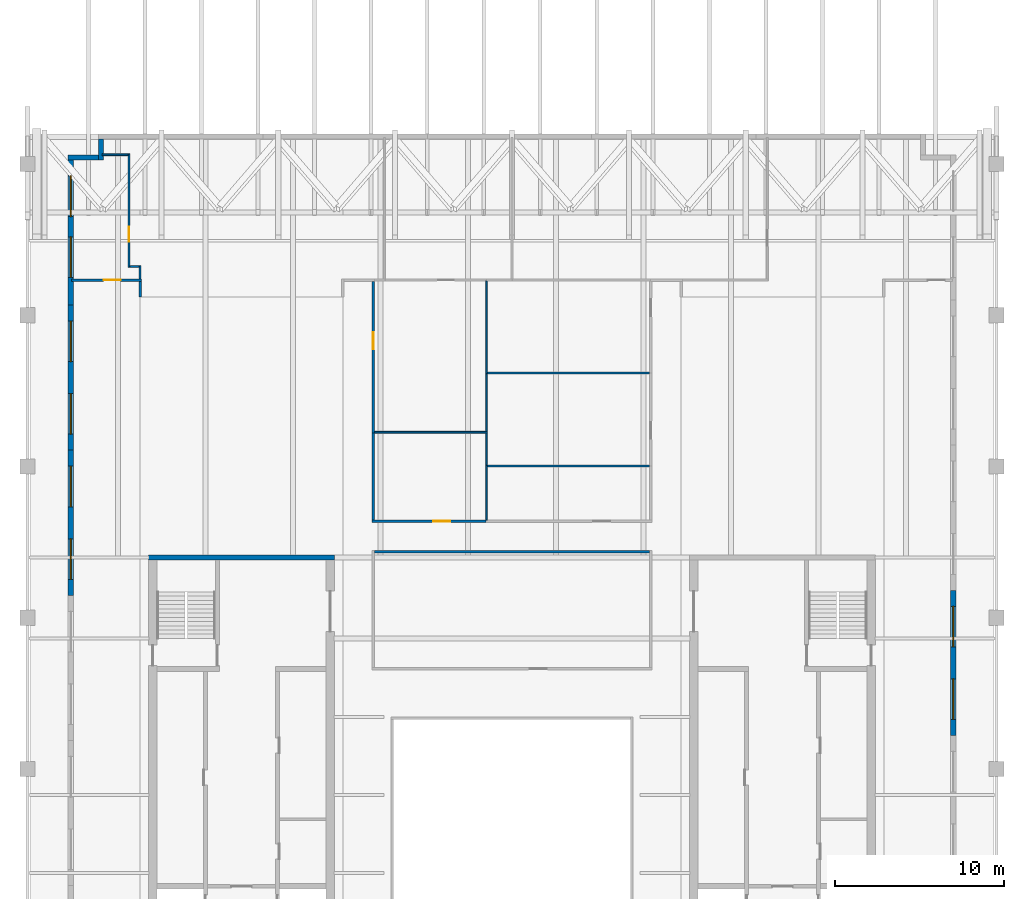
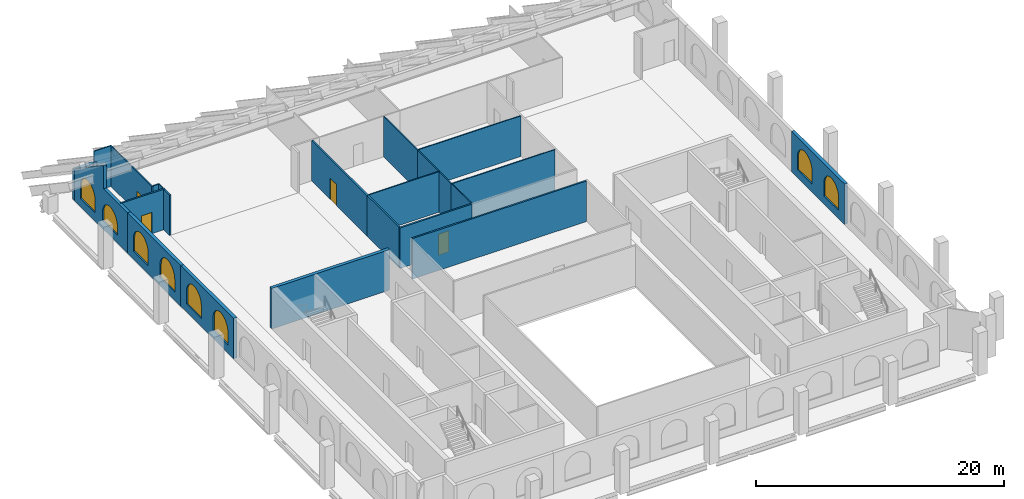
# One storey, part 6 of 9: 24 walls, 8 windows, 4 doors, 12 openings.
"""IFC4 building model written with IfcOpenShell, lengths in metres."""

import ifcopenshell
import ifcopenshell.guid

model = None  # the IFC model being written
_history = None  # IfcOwnerHistory: only IFC2X3 demands one
_inside = {}  # id of a spatial element -> (the spatial element, [elements in it])
_under = {}  # id of a project, library or spatial element -> (it, [spatial elements below it])
_declared = {}  # id of a project -> (the project, [libraries it declares])
_typed = {}  # id of a type object -> (the type object, [elements of that type])
_made_of = {}  # id of a material, layer set ... -> (it, [elements and type objects made of it])


def new_model(schema):
    """Start an empty IFC model of exactly this schema.

    Asked for "IFC4X3", IfcOpenShell would pick the latest addendum, in which some entities
    have other attributes; the version numbers below select the first issue.
    IFC2X3 requires an IfcOwnerHistory on every rooted entity: one is made here for all.
    """
    global model, _history
    if schema == "IFC4X3":
        model = ifcopenshell.file(schema_version=(4, 3, 0, 0))
    else:
        model = ifcopenshell.file(schema=schema)
    _inside.clear()
    _under.clear()
    _declared.clear()
    _typed.clear()
    _made_of.clear()
    _history = None
    if model.schema == "IFC2X3":
        org = make("IfcOrganization", Name="unknown")
        user = make(
            "IfcPersonAndOrganization",
            ThePerson=make("IfcPerson", FamilyName="unknown"),
            TheOrganization=org,
        )
        app = make(
            "IfcApplication",
            ApplicationDeveloper=org,
            Version="unknown",
            ApplicationFullName="unknown",
            ApplicationIdentifier="unknown",
        )
        _history = make(
            "IfcOwnerHistory",
            OwningUser=user,
            OwningApplication=app,
            ChangeAction="ADDED",
            CreationDate=0,
        )
    return model


def make(cls, **values):
    """One entity of the class cls with the attributes given. An attribute that is None is left unset."""
    return model.create_entity(
        cls, **{name: value for name, value in values.items() if value is not None}
    )


def rooted(cls, **values):
    """An entity with a GlobalId (a new one), such as an element, a storey or a relation."""
    return make(cls, GlobalId=ifcopenshell.guid.new(), OwnerHistory=_history, **values)


def si_unit(unit_type, name, prefix=None):
    """IfcSIUnit, for example si_unit("LENGTHUNIT", "METRE", prefix="MILLI")."""
    return make("IfcSIUnit", UnitType=unit_type, Prefix=prefix, Name=name)


def assignment(units):
    """IfcUnitAssignment: the units of a project."""
    return None if units is None else make("IfcUnitAssignment", Units=units)


def point(xyz):
    """IfcCartesianPoint."""
    return None if xyz is None else make("IfcCartesianPoint", Coordinates=xyz)


def direction(xyz):
    """IfcDirection."""
    return None if xyz is None else make("IfcDirection", DirectionRatios=xyz)


def frame(location, z_axis=None, x_axis=None):
    """IfcAxis2Placement3D, a coordinate frame: its origin and axes. An axis left out is left unset."""
    return make(
        "IfcAxis2Placement3D",
        Location=point(location),
        Axis=direction(z_axis),
        RefDirection=direction(x_axis),
    )


def frame_2d(location, x_axis=None):
    """IfcAxis2Placement2D, a coordinate frame in the plane: its origin and x axis."""
    return make(
        "IfcAxis2Placement2D", Location=point(location), RefDirection=direction(x_axis)
    )


def origin():
    """The frame at (0, 0, 0) with its axes left unset."""
    return frame((0.0, 0.0, 0.0))


def place(relative_to, where):
    """IfcLocalPlacement: puts the frame where relative to a parent placement (None: the world)."""
    return make(
        "IfcLocalPlacement", PlacementRelTo=relative_to, RelativePlacement=where
    )


def context(
    kind, dimensions, precision=None, world=None, true_north=None, identifier=None
):
    """IfcGeometricRepresentationContext, for example the 3D "Model" context."""
    return make(
        "IfcGeometricRepresentationContext",
        ContextIdentifier=identifier,
        ContextType=kind,
        CoordinateSpaceDimension=dimensions,
        Precision=precision,
        WorldCoordinateSystem=world,
        TrueNorth=true_north,
    )


def subcontext(parent, identifier, kind, view, scale=None):
    """IfcGeometricRepresentationSubContext, for example "Body" below "Model"."""
    return make(
        "IfcGeometricRepresentationSubContext",
        ContextIdentifier=identifier,
        ContextType=kind,
        ParentContext=parent,
        TargetScale=scale,
        TargetView=view,
    )


def project(units=None, contexts=None):
    """IfcProject with its units and contexts."""
    return rooted(
        "IfcProject",
        Name="project",
        RepresentationContexts=contexts,
        UnitsInContext=assignment(units),
    )


def spatial(cls, under=None, at=None, **own):
    """A site, building, storey or space (cls), placed at a placement, below another one or the project."""
    s = rooted(cls, ObjectPlacement=at, **own)
    if under is not None:
        _under.setdefault(under.id(), (under, []))[1].append(s)
    return s


def polyline(points):
    """IfcPolyline through the points."""
    return make("IfcPolyline", Points=[point(p) for p in points])


def profile(cls, at=None, kind="AREA", **sizes):
    """A parametric profile (cls). Its sizes go by their IFC names, for example OverallWidth=200.0."""
    return make(cls, ProfileType=kind, Position=at, **sizes)


def rectangle(**sizes):
    """IfcRectangleProfileDef."""
    return profile("IfcRectangleProfileDef", **sizes)


def outline(outer, holes=None, kind="AREA"):
    """IfcArbitraryClosedProfileDef: a profile drawn as a closed curve; with holes, ...WithVoids."""
    if holes is None:
        return make("IfcArbitraryClosedProfileDef", ProfileType=kind, OuterCurve=outer)
    return make(
        "IfcArbitraryProfileDefWithVoids",
        ProfileType=kind,
        OuterCurve=outer,
        InnerCurves=holes,
    )


def extrude(swept, where, along, depth):
    """IfcExtrudedAreaSolid: the profile swept, set in the frame where, extruded along a direction by depth."""
    return make(
        "IfcExtrudedAreaSolid",
        SweptArea=swept,
        Position=where,
        ExtrudedDirection=direction(along),
        Depth=depth,
    )


def shape(context_of_items, identifier, shape_type, items):
    """IfcShapeRepresentation: the items that make up one representation, for example the "Body"."""
    return make(
        "IfcShapeRepresentation",
        ContextOfItems=context_of_items,
        RepresentationIdentifier=identifier,
        RepresentationType=shape_type,
        Items=items,
    )


def material(Name=None, Category=None):
    """IfcMaterial."""
    return make("IfcMaterial", Name=Name, Category=Category)


def layer(
    of_material, thickness, ventilated=None, Name=None, Category=None, Priority=None
):
    """IfcMaterialLayer: one layer of a wall or slab, of a material (None: an air gap)."""
    return make(
        "IfcMaterialLayer",
        Material=of_material,
        LayerThickness=thickness,
        IsVentilated=ventilated,
        Name=Name,
        Category=Category,
        Priority=Priority,
    )


def layer_set(layers, Name=None):
    """IfcMaterialLayerSet."""
    return make("IfcMaterialLayerSet", MaterialLayers=layers, LayerSetName=Name)


def made_of(thing, what):
    """Note that an element or type object is made of a material, layer set ...; save() writes the relation."""
    if what is not None:
        _made_of.setdefault(what.id(), (what, []))[1].append(thing)
    return thing


def type_object(cls, material=None, **own):
    """A type object (cls), such as IfcWallType, which elements share."""
    return made_of(rooted(cls, **own), material)


def element(
    cls,
    number,
    at=None,
    inside=None,
    cuts=None,
    type_object=None,
    material=None,
    context=None,
    identifier="Body",
    shape_type=None,
    held_by="IfcProductDefinitionShape",
    body=None,
    shapes=None,
    **own,
):
    """One element of the class cls, such as IfcWall. Its Tag is "e" and its number.

    at: its placement. inside: the storey or other place that contains it. cuts: it is an
    opening in that element (IfcRelVoidsElement). A single representation is given by context,
    identifier, shape_type and body (its items); several are given by shapes. held_by: the class
    of the entity that holds the representations. save() writes the other relations.
    """
    e = rooted(cls, Tag="e%d" % number, ObjectPlacement=at, **own)
    if body is not None:
        shapes = [shape(context, identifier, shape_type, body)]
    if shapes is not None:
        e.Representation = make(held_by, Representations=shapes)
    if inside is not None:
        _inside.setdefault(inside.id(), (inside, []))[1].append(e)
    if cuts is not None:
        rooted(
            "IfcRelVoidsElement", RelatingBuildingElement=cuts, RelatedOpeningElement=e
        )
    if type_object is not None:
        _typed.setdefault(type_object.id(), (type_object, []))[1].append(e)
    return made_of(e, material)


def fill(opening, filler):
    """IfcRelFillsElement: the door or window that sits in an opening."""
    return rooted(
        "IfcRelFillsElement",
        RelatingOpeningElement=opening,
        RelatedBuildingElement=filler,
    )


def aggregate(whole, parts):
    """IfcRelAggregates: a whole, such as a stair, and the parts it consists of."""
    return rooted("IfcRelAggregates", RelatingObject=whole, RelatedObjects=parts)


def save(model, path):
    """Write the relations noted so far, then the file.

    IfcRelAggregates (storeys below a building ...), IfcRelContainedInSpatialStructure (elements
    in a storey), IfcRelDefinesByType, IfcRelAssociatesMaterial and IfcRelDeclares: one each for
    every whole, place, type object, material and project.
    """
    for whole, parts in _under.values():
        aggregate(whole, parts)
    for where, things in _inside.values():
        rooted(
            "IfcRelContainedInSpatialStructure",
            RelatedElements=things,
            RelatingStructure=where,
        )
    for kind, things in _typed.values():
        rooted("IfcRelDefinesByType", RelatedObjects=things, RelatingType=kind)
    for what, things in _made_of.values():
        rooted("IfcRelAssociatesMaterial", RelatedObjects=things, RelatingMaterial=what)
    for by, libraries in _declared.values():
        rooted("IfcRelDeclares", RelatingContext=by, RelatedDefinitions=libraries)
    model.write(path)


model = new_model("IFC4")

# Units and contexts
model_context = context("Model", 3, precision=1e-05, world=origin(), true_north=direction((0.0, 1.0)))
body_context = subcontext(model_context, "Body", "Model", "MODEL_VIEW")
ifc_project = project(units=[si_unit("LENGTHUNIT", "METRE"), si_unit("AREAUNIT", "SQUARE_METRE"), si_unit("VOLUMEUNIT", "CUBIC_METRE"), si_unit("PLANEANGLEUNIT", "RADIAN"), si_unit("MASSUNIT", "GRAM", prefix="KILO")], contexts=[model_context])

# Site, building, storey
site_placement = place(None, origin())
site = spatial("IfcSite", under=ifc_project, at=site_placement, CompositionType="ELEMENT")
building_placement = place(site_placement, origin())
building = spatial("IfcBuilding", under=site, at=building_placement, Name="Ogive Exchange Tower", CompositionType="ELEMENT")
storey_placement = place(building_placement, frame((0.0, 0.0, 373.199951171875)))
storey = spatial("IfcBuildingStorey", under=building, at=storey_placement, Name="C02", CompositionType="ELEMENT", Elevation=373.199951171875)

# Wall, opening, door
ifc_material_1 = material(Name="Fire partition EI 60 150")
ifc_layer_1 = layer(ifc_material_1, 0.14990234375)
ifc_layer_set_1 = layer_set([ifc_layer_1], Name="Fire partition EI 60 150")
wall_type_1 = type_object("IfcWallType", Name="Fire partition EI 60 150", PredefinedType="PARTITIONING", material=ifc_layer_set_1)
wall_1_placement = place(storey_placement, frame((-26.050048828125, 42.0, 0.0), z_axis=(0.0, 0.0, 1.0), x_axis=(1.0, 0.0, 0.0)))
wall_1 = element("IfcWall", 1, at=wall_1_placement, inside=storey, type_object=wall_type_1, Name="C02-PWL-001", PredefinedType="PARTITIONING", context=body_context, shape_type="SweptSolid", body=[
    extrude(rectangle(XDim=4.125, YDim=0.14990234375, at=frame_2d((2.0625, 0.0))), origin(), (0.0, 0.0, 1.0), 4.0),
])
opening_1_placement = place(wall_1_placement, frame((1.89990234375, 0.0, 0.0)))
opening_1 = element("IfcOpeningElement", 2, at=opening_1_placement, cuts=wall_1, Name="Opening C02-I10", PredefinedType="OPENING", context=body_context, shape_type="SweptSolid", body=[
    extrude(rectangle(XDim=1.0, YDim=2.10009765625, at=frame_2d((0.5, 1.050048828125))), frame((0.0, 0.0849609375, 0.0), z_axis=(0.0, -1.0, 0.0), x_axis=(1.0, 0.0, 0.0)), (0.0, 0.0, 1.0), 0.169921875),
])
ifc_material_2 = material(Name="Fire door FD 30S 1000 x 2100")
door_type_1 = type_object("IfcDoorType", Name="Fire door FD 30S 1000 x 2100", OperationType="NOTDEFINED", PredefinedType="DOOR", material=ifc_material_2)
door_1_placement = place(opening_1_placement, origin())
door_1 = element("IfcDoor", 3, at=door_1_placement, inside=storey, type_object=door_type_1, Name="C02-IDR-010", ObjectType="DT3", OperationType="SINGLE_SWING_LEFT", OverallHeight=2.10009765625, OverallWidth=1.0, PredefinedType="DOOR", context=body_context, shape_type="SweptSolid", body=[
    extrude(rectangle(XDim=1.0, YDim=2.10009765625, at=frame_2d((0.5, 1.050048828125))), frame((0.0, 0.02490234375, 0.0), z_axis=(0.0, -1.0, 0.0), x_axis=(1.0, 0.0, 0.0)), (0.0, 0.0, 1.0), 0.050048828125),
])
fill(opening_1, door_1)

# Wall
wall_2_placement = place(storey_placement, frame((-22.0, 41.925048828125, 0.0), z_axis=(0.0, 0.0, 1.0), x_axis=(0.0, -1.0, 0.0)))
element("IfcWall", 4, at=wall_2_placement, inside=storey, type_object=wall_type_1, Name="C02-PWL-004", PredefinedType="PARTITIONING", context=body_context, shape_type="SweptSolid", body=[
    extrude(rectangle(XDim=0.93505859375, YDim=0.14990234375, at=frame_2d((0.467529296875, 0.0))), origin(), (0.0, 0.0, 1.0), 4.0),
])

# Wall, opening, door
wall_3_placement = place(storey_placement, frame((-8.27490234375, 27.72998046875, 0.0), z_axis=(0.0, 0.0, 1.0), x_axis=(1.0, 0.0, 0.0)))
wall_3 = element("IfcWall", 5, at=wall_3_placement, inside=storey, type_object=wall_type_1, Name="C02-PWL-011", PredefinedType="PARTITIONING", context=body_context, shape_type="SweptSolid", body=[
    extrude(rectangle(XDim=6.724853515625, YDim=0.14990234375, at=frame_2d((3.3623046875, 0.0))), origin(), (0.0, 0.0, 1.0), 4.0),
])
opening_2_placement = place(wall_3_placement, frame((3.625, 0.0, 0.0)))
opening_2 = element("IfcOpeningElement", 6, at=opening_2_placement, cuts=wall_3, Name="Opening C02-I02", PredefinedType="OPENING", context=body_context, shape_type="SweptSolid", body=[
    extrude(rectangle(XDim=1.0, YDim=2.10009765625, at=frame_2d((0.5, 1.050048828125))), frame((0.0, 0.0849609375, 0.0), z_axis=(0.0, -1.0, 0.0), x_axis=(1.0, 0.0, 0.0)), (0.0, 0.0, 1.0), 0.169921875),
])
door_2_placement = place(opening_2_placement, origin())
door_2 = element("IfcDoor", 7, at=door_2_placement, inside=storey, type_object=door_type_1, Name="C02-IDR-002", ObjectType="DT3", OperationType="SINGLE_SWING_LEFT", OverallHeight=2.10009765625, OverallWidth=1.0, PredefinedType="DOOR", context=body_context, shape_type="SweptSolid", body=[
    extrude(rectangle(XDim=1.0, YDim=2.10009765625, at=frame_2d((0.5, 1.050048828125))), frame((0.0, 0.02490234375, 0.0), z_axis=(0.0, -1.0, 0.0), x_axis=(1.0, 0.0, 0.0)), (0.0, 0.0, 1.0), 0.050048828125),
])
fill(opening_2, door_2)

# Wall
wall_4_placement = place(storey_placement, frame((-8.199951171875, 32.949951171875, 0.0), z_axis=(0.0, 0.0, 1.0), x_axis=(0.0, -1.0, 0.0)))
element("IfcWall", 8, at=wall_4_placement, inside=storey, type_object=wall_type_1, Name="C02-PWL-012", PredefinedType="PARTITIONING", context=body_context, shape_type="SweptSolid", body=[
    extrude(rectangle(XDim=5.14501953125, YDim=0.14990234375, at=frame_2d((2.572509765625, 0.0))), origin(), (0.0, 0.0, 1.0), 4.0),
])

# Wall, opening, door
wall_5_placement = place(storey_placement, frame((-8.199951171875, 41.925048828125, 0.0), z_axis=(0.0, 0.0, 1.0), x_axis=(0.0, -1.0, 0.0)))
wall_5 = element("IfcWall", 9, at=wall_5_placement, inside=storey, type_object=wall_type_1, Name="C02-PWL-013", PredefinedType="PARTITIONING", context=body_context, shape_type="SweptSolid", body=[
    extrude(rectangle(XDim=8.97509765625, YDim=0.14990234375, at=frame_2d((4.487548828125, 0.0))), origin(), (0.0, 0.0, 1.0), 4.0),
])
opening_3_placement = place(wall_5_placement, frame((3.02490234375, 0.0, 0.0)))
opening_3 = element("IfcOpeningElement", 10, at=opening_3_placement, cuts=wall_5, Name="Opening C02-I01", PredefinedType="OPENING", context=body_context, shape_type="SweptSolid", body=[
    extrude(rectangle(XDim=1.0, YDim=2.10009765625, at=frame_2d((0.5, 1.050048828125))), frame((0.0, 0.0849609375, 0.0), z_axis=(0.0, -1.0, 0.0), x_axis=(1.0, 0.0, 0.0)), (0.0, 0.0, 1.0), 0.169921875),
])
door_3_placement = place(opening_3_placement, origin())
door_3 = element("IfcDoor", 11, at=door_3_placement, inside=storey, type_object=door_type_1, Name="C02-IDR-001", ObjectType="DT3", OperationType="SINGLE_SWING_RIGHT", OverallHeight=2.10009765625, OverallWidth=1.0, PredefinedType="DOOR", context=body_context, shape_type="SweptSolid", body=[
    extrude(rectangle(XDim=1.0, YDim=2.10009765625, at=frame_2d((0.5, 1.050048828125))), frame((0.0, 0.02490234375, 0.0), z_axis=(0.0, -1.0, 0.0), x_axis=(1.0, 0.0, 0.0)), (0.0, 0.0, 1.0), 0.050048828125),
])
fill(opening_3, door_3)

# Wall
wall_6_placement = place(storey_placement, frame((8.125, 25.929931640625, 0.0), z_axis=(0.0, 0.0, 1.0), x_axis=(-1.0, 0.0, 0.0)))
element("IfcWall", 12, at=wall_6_placement, inside=storey, type_object=wall_type_1, Name="C02-PWL-027", PredefinedType="PARTITIONING", context=body_context, shape_type="SweptSolid", body=[
    extrude(rectangle(XDim=16.25, YDim=0.14990234375, at=frame_2d((8.125, 0.0))), origin(), (0.0, 0.0, 1.0), 4.0),
])

# Wall, opening, door
ifc_material_3 = material(Name="Partition 100 gypsum")
ifc_layer_2 = layer(ifc_material_3, 0.10009765625)
ifc_layer_set_2 = layer_set([ifc_layer_2], Name="Partition 100 gypsum")
wall_type_2 = type_object("IfcWallType", Name="Partition 100 gypsum", PredefinedType="PARTITIONING", material=ifc_layer_set_2)
wall_7_placement = place(storey_placement, frame((-22.64990234375, 42.75, 0.0), z_axis=(0.0, 0.0, 1.0), x_axis=(0.0, 1.0, 0.0)))
wall_7 = element("IfcWall", 13, at=wall_7_placement, inside=storey, type_object=wall_type_2, Name="C02-PWL-002", PredefinedType="PARTITIONING", context=body_context, shape_type="SweptSolid", body=[
    extrude(rectangle(XDim=6.7099609375, YDim=0.10009765625, at=frame_2d((3.35498046875, 0.0))), origin(), (0.0, 0.0, 1.0), 4.0),
])
opening_4_placement = place(wall_7_placement, frame((1.5, 0.0, 0.0)))
opening_4 = element("IfcOpeningElement", 14, at=opening_4_placement, cuts=wall_7, Name="Opening C02-I09", PredefinedType="OPENING", context=body_context, shape_type="SweptSolid", body=[
    extrude(rectangle(XDim=0.89990234375, YDim=2.10009765625, at=frame_2d((0.449951171875, 1.050048828125))), frame((0.0, 0.06005859375, 0.0), z_axis=(0.0, -1.0, 0.0), x_axis=(1.0, 0.0, 0.0)), (0.0, 0.0, 1.0), 0.1201171875),
])
ifc_material_4 = material(Name="Door 900 x 2100")
door_type_2 = type_object("IfcDoorType", Name="Door 900 x 2100", OperationType="NOTDEFINED", PredefinedType="DOOR", material=ifc_material_4)
door_4_placement = place(opening_4_placement, origin())
door_4 = element("IfcDoor", 15, at=door_4_placement, inside=storey, type_object=door_type_2, Name="C02-IDR-009", ObjectType="DT1", OperationType="SINGLE_SWING_RIGHT", OverallHeight=2.10009765625, OverallWidth=0.89990234375, PredefinedType="DOOR", context=body_context, shape_type="SweptSolid", body=[
    extrude(rectangle(XDim=0.89990234375, YDim=2.10009765625, at=frame_2d((0.449951171875, 1.050048828125))), frame((0.0, 0.02490234375, 0.0), z_axis=(0.0, -1.0, 0.0), x_axis=(1.0, 0.0, 0.0)), (0.0, 0.0, 1.0), 0.050048828125),
])
fill(opening_4, door_4)

# Walls
wall_8_placement = place(storey_placement, frame((-22.699951171875, 49.409912109375, 0.0), z_axis=(0.0, 0.0, 1.0), x_axis=(-1.0, 0.0, 0.0)))
element("IfcWall", 16, at=wall_8_placement, inside=storey, type_object=wall_type_2, Name="C02-PWL-003", PredefinedType="PARTITIONING", context=body_context, shape_type="SweptSolid", body=[
    extrude(rectangle(XDim=1.550048828125, YDim=0.10009765625, at=frame_2d((0.77490234375, 0.0))), origin(), (0.0, 0.0, 1.0), 4.0),
])
wall_9_placement = place(storey_placement, frame((-22.0, 42.074951171875, 0.0), z_axis=(0.0, 0.0, 1.0), x_axis=(0.0, 1.0, 0.0)))
element("IfcWall", 17, at=wall_9_placement, inside=storey, type_object=wall_type_2, Name="C02-PWL-005", PredefinedType="PARTITIONING", context=body_context, shape_type="SweptSolid", body=[
    extrude(rectangle(XDim=0.775146484375, YDim=0.10009765625, at=frame_2d((0.3876953125, 0.0))), origin(), (0.0, 0.0, 1.0), 4.0),
])
wall_10_placement = place(storey_placement, frame((-22.050048828125, 42.800048828125, 0.0), z_axis=(0.0, 0.0, 1.0), x_axis=(-1.0, 0.0, 0.0)))
element("IfcWall", 18, at=wall_10_placement, inside=storey, type_object=wall_type_2, Name="C02-PWL-006", PredefinedType="PARTITIONING", context=body_context, shape_type="SweptSolid", body=[
    extrude(rectangle(XDim=0.550048828125, YDim=0.10009765625, at=frame_2d((0.27490234375, 0.0))), origin(), (0.0, 0.0, 1.0), 4.0),
])
wall_11_placement = place(storey_placement, frame((-1.5, 31.050048828125, 0.0), z_axis=(0.0, 0.0, 1.0), x_axis=(0.0, -1.0, 0.0)))
element("IfcWall", 19, at=wall_11_placement, inside=storey, type_object=wall_type_2, Name="C02-PWL-018", PredefinedType="PARTITIONING", context=body_context, shape_type="SweptSolid", body=[
    extrude(rectangle(XDim=3.2451171875, YDim=0.10009765625, at=frame_2d((1.62255859375, 0.0))), origin(), (0.0, 0.0, 1.0), 4.0),
])
wall_12_placement = place(storey_placement, frame((-1.449951171875, 33.0, 0.0), z_axis=(0.0, 0.0, 1.0), x_axis=(-1.0, 0.0, 0.0)))
element("IfcWall", 20, at=wall_12_placement, inside=storey, type_object=wall_type_2, Name="C02-PWL-019", PredefinedType="PARTITIONING", context=body_context, shape_type="SweptSolid", body=[
    extrude(rectangle(XDim=6.675048828125, YDim=0.10009765625, at=frame_2d((3.33740234375, 0.0))), origin(), (0.0, 0.0, 1.0), 4.0),
])
wall_13_placement = place(storey_placement, frame((-1.5, 32.949951171875, 0.0), z_axis=(0.0, 0.0, 1.0), x_axis=(0.0, -1.0, 0.0)))
element("IfcWall", 21, at=wall_13_placement, inside=storey, type_object=wall_type_2, Name="C02-PWL-020", PredefinedType="PARTITIONING", context=body_context, shape_type="SweptSolid", body=[
    extrude(rectangle(XDim=1.89990234375, YDim=0.10009765625, at=frame_2d((0.949951171875, 0.0))), origin(), (0.0, 0.0, 1.0), 4.0),
])
wall_14_placement = place(storey_placement, frame((-1.5, 36.449951171875, 0.0), z_axis=(0.0, 0.0, 1.0), x_axis=(0.0, -1.0, 0.0)))
element("IfcWall", 22, at=wall_14_placement, inside=storey, type_object=wall_type_2, Name="C02-PWL-021", PredefinedType="PARTITIONING", context=body_context, shape_type="SweptSolid", body=[
    extrude(rectangle(XDim=3.39990234375, YDim=0.10009765625, at=frame_2d((1.699951171875, 0.0))), origin(), (0.0, 0.0, 1.0), 4.0),
])
wall_15_placement = place(storey_placement, frame((-1.5, 41.949951171875, 0.0), z_axis=(0.0, 0.0, 1.0), x_axis=(0.0, -1.0, 0.0)))
element("IfcWall", 23, at=wall_15_placement, inside=storey, type_object=wall_type_2, Name="C02-PWL-022", PredefinedType="PARTITIONING", context=body_context, shape_type="SweptSolid", body=[
    extrude(rectangle(XDim=5.5, YDim=0.10009765625, at=frame_2d((2.75, 0.0))), origin(), (0.0, 0.0, 1.0), 4.0),
])
for number, where, z_axis, x_axis, name in (
    (24, (8.125, 31.0, 0.0), (0.0, 0.0, 1.0), (-1.0, 0.0, 0.0), "C02-PWL-029"),
    (25, (8.125, 36.5, 0.0), (0.0, 0.0, 1.0), (-1.0, 0.0, 0.0), "C02-PWL-031"),
):
    element("IfcWall", number, at=place(storey_placement, frame(where, z_axis=z_axis, x_axis=x_axis)), inside=storey, type_object=wall_type_2, Name=name, PredefinedType="PARTITIONING", context=body_context, shape_type="SweptSolid", body=[
        extrude(rectangle(XDim=9.574951171875, YDim=0.10009765625, at=frame_2d((4.78759765625, 0.0))), origin(), (0.0, 0.0, 1.0), 4.0),
    ])
ifc_material_5 = material(Name="Concrete C70/85", Category="concrete")
ifc_layer_3 = layer(ifc_material_5, 0.300048828125)
ifc_layer_set_3 = layer_set([ifc_layer_3], Name="RC core wall 300 C70/85")
wall_type_3 = type_object("IfcWallType", Name="RC core wall 300 C70/85", PredefinedType="SHEAR", material=ifc_layer_set_3)
wall_16_placement = place(storey_placement, frame((-21.5, 25.60009765625, 0.0), z_axis=(0.0, 0.0, 1.0), x_axis=(1.0, 0.0, 0.0)))
element("IfcWall", 26, at=wall_16_placement, inside=storey, type_object=wall_type_3, Name="W north end wall", PredefinedType="SHEAR", context=body_context, shape_type="SweptSolid", body=[
    extrude(rectangle(XDim=11.0, YDim=0.300048828125, at=frame_2d((5.5, 0.0))), origin(), (0.0, 0.0, 1.0), 4.0),
])

# Wall, openings, windows
ifc_material_6 = material(Name="Precast concrete C40/50", Category="concrete")
ifc_layer_4 = layer(ifc_material_6, 0.300048828125)
ifc_layer_set_4 = layer_set([ifc_layer_4], Name="Zinc-clad crown wall 300")
wall_type_4 = type_object("IfcWallType", Name="Zinc-clad crown wall 300", PredefinedType="STANDARD", material=ifc_layer_set_4)
wall_17_placement = place(storey_placement, frame((26.10009765625, 15.066650390625, 0.0), z_axis=(0.0, 0.0, 1.0), x_axis=(0.0, 1.0, 0.0)))
wall_17 = element("IfcWall", 27, at=wall_17_placement, inside=storey, type_object=wall_type_4, Name="Crown wall 15", PredefinedType="STANDARD", context=body_context, shape_type="SweptSolid", body=[
    extrude(rectangle(XDim=8.583251953125, YDim=0.300048828125, at=frame_2d((4.29150390625, 0.0))), origin(), (0.0, 0.0, 1.0), 4.0),
])
opening_5_placement = place(wall_17_placement, frame((0.94580078125, 0.0, 0.800048828125)))
opening_5 = element("IfcOpeningElement", 28, at=opening_5_placement, cuts=wall_17, Name="Opening WC25", PredefinedType="OPENING", context=body_context, shape_type="SweptSolid", body=[
    extrude(outline(polyline([(0.0, 0.0), (2.39990234375, 0.0), (2.39990234375, 1.25), (2.377197265625, 1.48779296875), (2.3095703125, 1.717041015625), (2.19970703125, 1.928955078125), (2.05126953125, 2.116455078125), (1.8701171875, 2.272216796875), (1.662841796875, 2.390625), (1.4365234375, 2.467529296875), (1.199951171875, 2.5), (0.96337890625, 2.467529296875), (0.737060546875, 2.390625), (0.52978515625, 2.272216796875), (0.3486328125, 2.116455078125), (0.2001953125, 1.928955078125), (0.09033203125, 1.717041015625), (0.022705078125, 1.48779296875), (0.0, 1.25), (0.0, 0.0)])), frame((0.0, 0.159912109375, 0.0), z_axis=(0.0, -1.0, 0.0), x_axis=(1.0, 0.0, 0.0)), (0.0, 0.0, 1.0), 0.320068359375),
])
opening_6_placement = place(wall_17_placement, frame((5.237548828125, 0.0, 0.800048828125)))
opening_6 = element("IfcOpeningElement", 29, at=opening_6_placement, cuts=wall_17, Name="Opening WC25", PredefinedType="OPENING", context=body_context, shape_type="SweptSolid", body=[
    extrude(outline(polyline([(0.0, 0.0), (2.39990234375, 0.0), (2.39990234375, 1.25), (2.377197265625, 1.48779296875), (2.3095703125, 1.717041015625), (2.19970703125, 1.928955078125), (2.05126953125, 2.116455078125), (1.8701171875, 2.272216796875), (1.662841796875, 2.390625), (1.4365234375, 2.467529296875), (1.199951171875, 2.5), (0.96337890625, 2.467529296875), (0.737060546875, 2.390625), (0.52978515625, 2.272216796875), (0.3486328125, 2.116455078125), (0.2001953125, 1.928955078125), (0.09033203125, 1.717041015625), (0.022705078125, 1.48779296875), (0.0, 1.25), (0.0, 0.0)])), frame((0.0, 0.159912109375, 0.0), z_axis=(0.0, -1.0, 0.0), x_axis=(1.0, 0.0, 0.0)), (0.0, 0.0, 1.0), 0.320068359375),
])
ifc_material_7 = material(Name="Clear glass in bronze frame", Category="glass")
window_type_1 = type_object("IfcWindowType", Name="Crown lancet window 2400 x 2500", PartitioningType="DOUBLE_PANEL_VERTICAL", PredefinedType="WINDOW", material=ifc_material_7)
window_1_placement = place(opening_5_placement, origin())
window_1 = element("IfcWindow", 30, at=window_1_placement, inside=storey, type_object=window_type_1, Name="Crown lancet 15.1", OverallHeight=2.5, OverallWidth=2.39990234375, PartitioningType="DOUBLE_PANEL_VERTICAL", PredefinedType="WINDOW", context=body_context, shape_type="SweptSolid", body=[
    extrude(outline(polyline([(0.0, 0.0), (2.39990234375, 0.0), (2.39990234375, 1.25), (2.377197265625, 1.48779296875), (2.3095703125, 1.717041015625), (2.19970703125, 1.928955078125), (2.05126953125, 2.116455078125), (1.8701171875, 2.272216796875), (1.662841796875, 2.390625), (1.4365234375, 2.467529296875), (1.199951171875, 2.5), (0.96337890625, 2.467529296875), (0.737060546875, 2.390625), (0.52978515625, 2.272216796875), (0.3486328125, 2.116455078125), (0.2001953125, 1.928955078125), (0.09033203125, 1.717041015625), (0.022705078125, 1.48779296875), (0.0, 1.25), (0.0, 0.0)])), frame((0.0, 0.030029296875, 0.0), z_axis=(0.0, -1.0, 0.0), x_axis=(1.0, 0.0, 0.0)), (0.0, 0.0, 1.0), 0.06005859375),
])
fill(opening_5, window_1)
window_2_placement = place(opening_6_placement, origin())
window_2 = element("IfcWindow", 31, at=window_2_placement, inside=storey, type_object=window_type_1, Name="Crown lancet 15.2", OverallHeight=2.5, OverallWidth=2.39990234375, PartitioningType="DOUBLE_PANEL_VERTICAL", PredefinedType="WINDOW", context=body_context, shape_type="SweptSolid", body=[
    extrude(outline(polyline([(0.0, 0.0), (2.39990234375, 0.0), (2.39990234375, 1.25), (2.377197265625, 1.48779296875), (2.3095703125, 1.717041015625), (2.19970703125, 1.928955078125), (2.05126953125, 2.116455078125), (1.8701171875, 2.272216796875), (1.662841796875, 2.390625), (1.4365234375, 2.467529296875), (1.199951171875, 2.5), (0.96337890625, 2.467529296875), (0.737060546875, 2.390625), (0.52978515625, 2.272216796875), (0.3486328125, 2.116455078125), (0.2001953125, 1.928955078125), (0.09033203125, 1.717041015625), (0.022705078125, 1.48779296875), (0.0, 1.25), (0.0, 0.0)])), frame((0.0, 0.030029296875, 0.0), z_axis=(0.0, -1.0, 0.0), x_axis=(1.0, 0.0, 0.0)), (0.0, 0.0, 1.0), 0.06005859375),
])
fill(opening_6, window_2)

# Walls
wall_18_placement = place(storey_placement, frame((-24.300048828125, 50.327880859375, 0.0), z_axis=(0.0, 0.0, 1.0), x_axis=(0.0, -1.0, 0.0)))
element("IfcWall", 32, at=wall_18_placement, inside=storey, type_object=wall_type_4, Name="Crown wall 26", PredefinedType="STANDARD", context=body_context, shape_type="SweptSolid", body=[
    extrude(outline(polyline([(0.0, 0.0), (1.227783203125, 0.0), (1.227783203125, 3.129150390625), (0.0, 2.30078125), (0.0, 0.0)])), frame((0.0, 0.14990234375, 0.0), z_axis=(0.0, -1.0, 0.0), x_axis=(1.0, 0.0, 0.0)), (0.0, 0.0, 1.0), 0.300048828125),
])
wall_19_placement = place(storey_placement, frame((-24.449951171875, 49.25, 0.0), z_axis=(0.0, 0.0, 1.0), x_axis=(-1.0, 0.0, 0.0)))
element("IfcWall", 33, at=wall_19_placement, inside=storey, type_object=wall_type_4, Name="Crown wall 27", PredefinedType="STANDARD", context=body_context, shape_type="SweptSolid", body=[
    extrude(rectangle(XDim=1.800048828125, YDim=0.300048828125, at=frame_2d((0.89990234375, 0.0))), origin(), (0.0, 0.0, 1.0), 3.02783203125),
])

# Wall, openings, windows
wall_20_placement = place(storey_placement, frame((-26.10009765625, 49.10009765625, 0.0), z_axis=(0.0, 0.0, 1.0), x_axis=(0.0, -1.0, 0.0)))
wall_20 = element("IfcWall", 34, at=wall_20_placement, inside=storey, type_object=wall_type_4, Name="Crown wall 28", PredefinedType="STANDARD", context=body_context, shape_type="SweptSolid", body=[
    extrude(outline(polyline([(0.0, 0.0), (8.58349609375, 0.0), (8.583251953125, 4.0), (4.698974609375, 4.0), (4.698974609375, 6.2978515625), (4.678955078125, 6.28515625), (1.291259765625, 4.0), (0.0, 3.129150390625), (0.0, 0.0)])), frame((0.0, 0.14990234375, 0.0), z_axis=(0.0, -1.0, 0.0), x_axis=(1.0, 0.0, 0.0)), (0.0, 0.0, 1.0), 0.300048828125),
])
opening_7_placement = place(wall_20_placement, frame((0.94580078125, 0.0, 0.800048828125)))
opening_7 = element("IfcOpeningElement", 35, at=opening_7_placement, cuts=wall_20, Name="Opening WC25", PredefinedType="OPENING", context=body_context, shape_type="SweptSolid", body=[
    extrude(outline(polyline([(0.0, 0.0), (2.39990234375, 0.0), (2.39990234375, 1.25), (2.377197265625, 1.48779296875), (2.3095703125, 1.717041015625), (2.19970703125, 1.928955078125), (2.05126953125, 2.116455078125), (1.8701171875, 2.272216796875), (1.662841796875, 2.390625), (1.4365234375, 2.467529296875), (1.199951171875, 2.5), (0.96337890625, 2.467529296875), (0.737060546875, 2.390625), (0.52978515625, 2.272216796875), (0.3486328125, 2.116455078125), (0.2001953125, 1.928955078125), (0.09033203125, 1.717041015625), (0.022705078125, 1.48779296875), (0.0, 1.25), (0.0, 0.0)])), frame((0.0, 0.159912109375, 0.0), z_axis=(0.0, -1.0, 0.0), x_axis=(1.0, 0.0, 0.0)), (0.0, 0.0, 1.0), 0.320068359375),
])
opening_8_placement = place(wall_20_placement, frame((4.550048828125, 0.0, 0.800048828125)))
opening_8 = element("IfcOpeningElement", 36, at=opening_8_placement, cuts=wall_20, Name="Opening WC25A", PredefinedType="OPENING", context=body_context, shape_type="SweptSolid", body=[
    extrude(outline(polyline([(0.0, 0.0), (2.39990234375, 0.0), (2.39990234375, 0.85009765625), (2.377197265625, 1.087890625), (2.3095703125, 1.317138671875), (2.19970703125, 1.529052734375), (2.05126953125, 1.716552734375), (1.8701171875, 1.872314453125), (1.662841796875, 1.99072265625), (1.4365234375, 2.067626953125), (1.199951171875, 2.10009765625), (0.96337890625, 2.067626953125), (0.737060546875, 1.99072265625), (0.52978515625, 1.872314453125), (0.3486328125, 1.716552734375), (0.2001953125, 1.529052734375), (0.09033203125, 1.317138671875), (0.022705078125, 1.087890625), (0.0, 0.85009765625), (0.0, 0.0)])), frame((0.0, 0.159912109375, 0.0), z_axis=(0.0, -1.0, 0.0), x_axis=(1.0, 0.0, 0.0)), (0.0, 0.0, 1.0), 0.320068359375),
])
window_type_2 = type_object("IfcWindowType", Name="Crown lancet window 2400 x 2100", PartitioningType="DOUBLE_PANEL_VERTICAL", PredefinedType="WINDOW", material=ifc_material_7)
window_3_placement = place(opening_8_placement, origin())
window_3 = element("IfcWindow", 37, at=window_3_placement, inside=storey, type_object=window_type_2, Name="Crown lancet 28.2", OverallHeight=2.10009765625, OverallWidth=2.39990234375, PartitioningType="DOUBLE_PANEL_VERTICAL", PredefinedType="WINDOW", context=body_context, shape_type="SweptSolid", body=[
    extrude(outline(polyline([(0.0, 0.0), (2.39990234375, 0.0), (2.39990234375, 0.85009765625), (2.377197265625, 1.087890625), (2.3095703125, 1.317138671875), (2.19970703125, 1.529052734375), (2.05126953125, 1.716552734375), (1.8701171875, 1.872314453125), (1.662841796875, 1.99072265625), (1.4365234375, 2.067626953125), (1.199951171875, 2.10009765625), (0.96337890625, 2.067626953125), (0.737060546875, 1.99072265625), (0.52978515625, 1.872314453125), (0.3486328125, 1.716552734375), (0.2001953125, 1.529052734375), (0.09033203125, 1.317138671875), (0.022705078125, 1.087890625), (0.0, 0.85009765625), (0.0, 0.0)])), frame((0.0, 0.030029296875, 0.0), z_axis=(0.0, -1.0, 0.0), x_axis=(1.0, 0.0, 0.0)), (0.0, 0.0, 1.0), 0.06005859375),
])
fill(opening_8, window_3)
window_4_placement = place(opening_7_placement, origin())
window_4 = element("IfcWindow", 38, at=window_4_placement, inside=storey, type_object=window_type_1, Name="Crown lancet 28.1", OverallHeight=2.5, OverallWidth=2.39990234375, PartitioningType="DOUBLE_PANEL_VERTICAL", PredefinedType="WINDOW", context=body_context, shape_type="SweptSolid", body=[
    extrude(outline(polyline([(0.0, 0.0), (2.39990234375, 0.0), (2.39990234375, 1.25), (2.377197265625, 1.48779296875), (2.3095703125, 1.717041015625), (2.19970703125, 1.928955078125), (2.05126953125, 2.116455078125), (1.8701171875, 2.272216796875), (1.662841796875, 2.390625), (1.4365234375, 2.467529296875), (1.199951171875, 2.5), (0.96337890625, 2.467529296875), (0.737060546875, 2.390625), (0.52978515625, 2.272216796875), (0.3486328125, 2.116455078125), (0.2001953125, 1.928955078125), (0.09033203125, 1.717041015625), (0.022705078125, 1.48779296875), (0.0, 1.25), (0.0, 0.0)])), frame((0.0, 0.030029296875, 0.0), z_axis=(0.0, -1.0, 0.0), x_axis=(1.0, 0.0, 0.0)), (0.0, 0.0, 1.0), 0.06005859375),
])
fill(opening_7, window_4)

wall_21_placement = place(storey_placement, frame((-26.10009765625, 40.5166015625, 0.0), z_axis=(0.0, 0.0, 1.0), x_axis=(0.0, -1.0, 0.0)))
wall_21 = element("IfcWall", 39, at=wall_21_placement, inside=storey, type_object=wall_type_4, Name="Crown wall 29", PredefinedType="STANDARD", context=body_context, shape_type="SweptSolid", body=[
    extrude(rectangle(XDim=8.583251953125, YDim=0.300048828125, at=frame_2d((4.29150390625, 0.0))), origin(), (0.0, 0.0, 1.0), 4.0),
])
opening_9_placement = place(wall_21_placement, frame((0.94580078125, 0.0, 0.800048828125)))
opening_9 = element("IfcOpeningElement", 40, at=opening_9_placement, cuts=wall_21, Name="Opening WC25", PredefinedType="OPENING", context=body_context, shape_type="SweptSolid", body=[
    extrude(outline(polyline([(0.0, 0.0), (2.39990234375, 0.0), (2.39990234375, 1.25), (2.377197265625, 1.48779296875), (2.3095703125, 1.717041015625), (2.19970703125, 1.928955078125), (2.05126953125, 2.116455078125), (1.8701171875, 2.272216796875), (1.662841796875, 2.390625), (1.4365234375, 2.467529296875), (1.199951171875, 2.5), (0.96337890625, 2.467529296875), (0.737060546875, 2.390625), (0.52978515625, 2.272216796875), (0.3486328125, 2.116455078125), (0.2001953125, 1.928955078125), (0.09033203125, 1.717041015625), (0.022705078125, 1.48779296875), (0.0, 1.25), (0.0, 0.0)])), frame((0.0, 0.159912109375, 0.0), z_axis=(0.0, -1.0, 0.0), x_axis=(1.0, 0.0, 0.0)), (0.0, 0.0, 1.0), 0.320068359375),
])
opening_10_placement = place(wall_21_placement, frame((5.237548828125, 0.0, 0.800048828125)))
opening_10 = element("IfcOpeningElement", 41, at=opening_10_placement, cuts=wall_21, Name="Opening WC25", PredefinedType="OPENING", context=body_context, shape_type="SweptSolid", body=[
    extrude(outline(polyline([(0.0, 0.0), (2.39990234375, 0.0), (2.39990234375, 1.25), (2.377197265625, 1.48779296875), (2.3095703125, 1.717041015625), (2.19970703125, 1.928955078125), (2.05126953125, 2.116455078125), (1.8701171875, 2.272216796875), (1.662841796875, 2.390625), (1.4365234375, 2.467529296875), (1.199951171875, 2.5), (0.96337890625, 2.467529296875), (0.737060546875, 2.390625), (0.52978515625, 2.272216796875), (0.3486328125, 2.116455078125), (0.2001953125, 1.928955078125), (0.09033203125, 1.717041015625), (0.022705078125, 1.48779296875), (0.0, 1.25), (0.0, 0.0)])), frame((0.0, 0.159912109375, 0.0), z_axis=(0.0, -1.0, 0.0), x_axis=(1.0, 0.0, 0.0)), (0.0, 0.0, 1.0), 0.320068359375),
])
window_5_placement = place(opening_9_placement, origin())
window_5 = element("IfcWindow", 42, at=window_5_placement, inside=storey, type_object=window_type_1, Name="Crown lancet 29.1", OverallHeight=2.5, OverallWidth=2.39990234375, PartitioningType="DOUBLE_PANEL_VERTICAL", PredefinedType="WINDOW", context=body_context, shape_type="SweptSolid", body=[
    extrude(outline(polyline([(0.0, 0.0), (2.39990234375, 0.0), (2.39990234375, 1.25), (2.377197265625, 1.48779296875), (2.3095703125, 1.717041015625), (2.19970703125, 1.928955078125), (2.05126953125, 2.116455078125), (1.8701171875, 2.272216796875), (1.662841796875, 2.390625), (1.4365234375, 2.467529296875), (1.199951171875, 2.5), (0.96337890625, 2.467529296875), (0.737060546875, 2.390625), (0.52978515625, 2.272216796875), (0.3486328125, 2.116455078125), (0.2001953125, 1.928955078125), (0.09033203125, 1.717041015625), (0.022705078125, 1.48779296875), (0.0, 1.25), (0.0, 0.0)])), frame((0.0, 0.030029296875, 0.0), z_axis=(0.0, -1.0, 0.0), x_axis=(1.0, 0.0, 0.0)), (0.0, 0.0, 1.0), 0.06005859375),
])
fill(opening_9, window_5)
window_6_placement = place(opening_10_placement, origin())
window_6 = element("IfcWindow", 43, at=window_6_placement, inside=storey, type_object=window_type_1, Name="Crown lancet 29.2", OverallHeight=2.5, OverallWidth=2.39990234375, PartitioningType="DOUBLE_PANEL_VERTICAL", PredefinedType="WINDOW", context=body_context, shape_type="SweptSolid", body=[
    extrude(outline(polyline([(0.0, 0.0), (2.39990234375, 0.0), (2.39990234375, 1.25), (2.377197265625, 1.48779296875), (2.3095703125, 1.717041015625), (2.19970703125, 1.928955078125), (2.05126953125, 2.116455078125), (1.8701171875, 2.272216796875), (1.662841796875, 2.390625), (1.4365234375, 2.467529296875), (1.199951171875, 2.5), (0.96337890625, 2.467529296875), (0.737060546875, 2.390625), (0.52978515625, 2.272216796875), (0.3486328125, 2.116455078125), (0.2001953125, 1.928955078125), (0.09033203125, 1.717041015625), (0.022705078125, 1.48779296875), (0.0, 1.25), (0.0, 0.0)])), frame((0.0, 0.030029296875, 0.0), z_axis=(0.0, -1.0, 0.0), x_axis=(1.0, 0.0, 0.0)), (0.0, 0.0, 1.0), 0.06005859375),
])
fill(opening_10, window_6)

wall_22_placement = place(storey_placement, frame((-26.10009765625, 31.933349609375, 0.0), z_axis=(0.0, 0.0, 1.0), x_axis=(0.0, -1.0, 0.0)))
wall_22 = element("IfcWall", 44, at=wall_22_placement, inside=storey, type_object=wall_type_4, Name="Crown wall 30", PredefinedType="STANDARD", context=body_context, shape_type="SweptSolid", body=[
    extrude(rectangle(XDim=8.583251953125, YDim=0.300048828125, at=frame_2d((4.29150390625, 0.0))), origin(), (0.0, 0.0, 1.0), 4.0),
])
opening_11_placement = place(wall_22_placement, frame((0.94580078125, 0.0, 0.800048828125)))
opening_11 = element("IfcOpeningElement", 45, at=opening_11_placement, cuts=wall_22, Name="Opening WC25", PredefinedType="OPENING", context=body_context, shape_type="SweptSolid", body=[
    extrude(outline(polyline([(0.0, 0.0), (2.39990234375, 0.0), (2.39990234375, 1.25), (2.377197265625, 1.48779296875), (2.3095703125, 1.717041015625), (2.19970703125, 1.928955078125), (2.05126953125, 2.116455078125), (1.8701171875, 2.272216796875), (1.662841796875, 2.390625), (1.4365234375, 2.467529296875), (1.199951171875, 2.5), (0.96337890625, 2.467529296875), (0.737060546875, 2.390625), (0.52978515625, 2.272216796875), (0.3486328125, 2.116455078125), (0.2001953125, 1.928955078125), (0.09033203125, 1.717041015625), (0.022705078125, 1.48779296875), (0.0, 1.25), (0.0, 0.0)])), frame((0.0, 0.159912109375, 0.0), z_axis=(0.0, -1.0, 0.0), x_axis=(1.0, 0.0, 0.0)), (0.0, 0.0, 1.0), 0.320068359375),
])
opening_12_placement = place(wall_22_placement, frame((5.237548828125, 0.0, 0.800048828125)))
opening_12 = element("IfcOpeningElement", 46, at=opening_12_placement, cuts=wall_22, Name="Opening WC25", PredefinedType="OPENING", context=body_context, shape_type="SweptSolid", body=[
    extrude(outline(polyline([(0.0, 0.0), (2.39990234375, 0.0), (2.39990234375, 1.25), (2.377197265625, 1.48779296875), (2.3095703125, 1.717041015625), (2.19970703125, 1.928955078125), (2.05126953125, 2.116455078125), (1.8701171875, 2.272216796875), (1.662841796875, 2.390625), (1.4365234375, 2.467529296875), (1.199951171875, 2.5), (0.96337890625, 2.467529296875), (0.737060546875, 2.390625), (0.52978515625, 2.272216796875), (0.3486328125, 2.116455078125), (0.2001953125, 1.928955078125), (0.09033203125, 1.717041015625), (0.022705078125, 1.48779296875), (0.0, 1.25), (0.0, 0.0)])), frame((0.0, 0.159912109375, 0.0), z_axis=(0.0, -1.0, 0.0), x_axis=(1.0, 0.0, 0.0)), (0.0, 0.0, 1.0), 0.320068359375),
])
window_7_placement = place(opening_11_placement, origin())
window_7 = element("IfcWindow", 47, at=window_7_placement, inside=storey, type_object=window_type_1, Name="Crown lancet 30.1", OverallHeight=2.5, OverallWidth=2.39990234375, PartitioningType="DOUBLE_PANEL_VERTICAL", PredefinedType="WINDOW", context=body_context, shape_type="SweptSolid", body=[
    extrude(outline(polyline([(0.0, 0.0), (2.39990234375, 0.0), (2.39990234375, 1.25), (2.377197265625, 1.48779296875), (2.3095703125, 1.717041015625), (2.19970703125, 1.928955078125), (2.05126953125, 2.116455078125), (1.8701171875, 2.272216796875), (1.662841796875, 2.390625), (1.4365234375, 2.467529296875), (1.199951171875, 2.5), (0.96337890625, 2.467529296875), (0.737060546875, 2.390625), (0.52978515625, 2.272216796875), (0.3486328125, 2.116455078125), (0.2001953125, 1.928955078125), (0.09033203125, 1.717041015625), (0.022705078125, 1.48779296875), (0.0, 1.25), (0.0, 0.0)])), frame((0.0, 0.030029296875, 0.0), z_axis=(0.0, -1.0, 0.0), x_axis=(1.0, 0.0, 0.0)), (0.0, 0.0, 1.0), 0.06005859375),
])
fill(opening_11, window_7)
window_8_placement = place(opening_12_placement, origin())
window_8 = element("IfcWindow", 48, at=window_8_placement, inside=storey, type_object=window_type_1, Name="Crown lancet 30.2", OverallHeight=2.5, OverallWidth=2.39990234375, PartitioningType="DOUBLE_PANEL_VERTICAL", PredefinedType="WINDOW", context=body_context, shape_type="SweptSolid", body=[
    extrude(outline(polyline([(0.0, 0.0), (2.39990234375, 0.0), (2.39990234375, 1.25), (2.377197265625, 1.48779296875), (2.3095703125, 1.717041015625), (2.19970703125, 1.928955078125), (2.05126953125, 2.116455078125), (1.8701171875, 2.272216796875), (1.662841796875, 2.390625), (1.4365234375, 2.467529296875), (1.199951171875, 2.5), (0.96337890625, 2.467529296875), (0.737060546875, 2.390625), (0.52978515625, 2.272216796875), (0.3486328125, 2.116455078125), (0.2001953125, 1.928955078125), (0.09033203125, 1.717041015625), (0.022705078125, 1.48779296875), (0.0, 1.25), (0.0, 0.0)])), frame((0.0, 0.030029296875, 0.0), z_axis=(0.0, -1.0, 0.0), x_axis=(1.0, 0.0, 0.0)), (0.0, 0.0, 1.0), 0.06005859375),
])
fill(opening_12, window_8)

save(model, "model.ifc")
